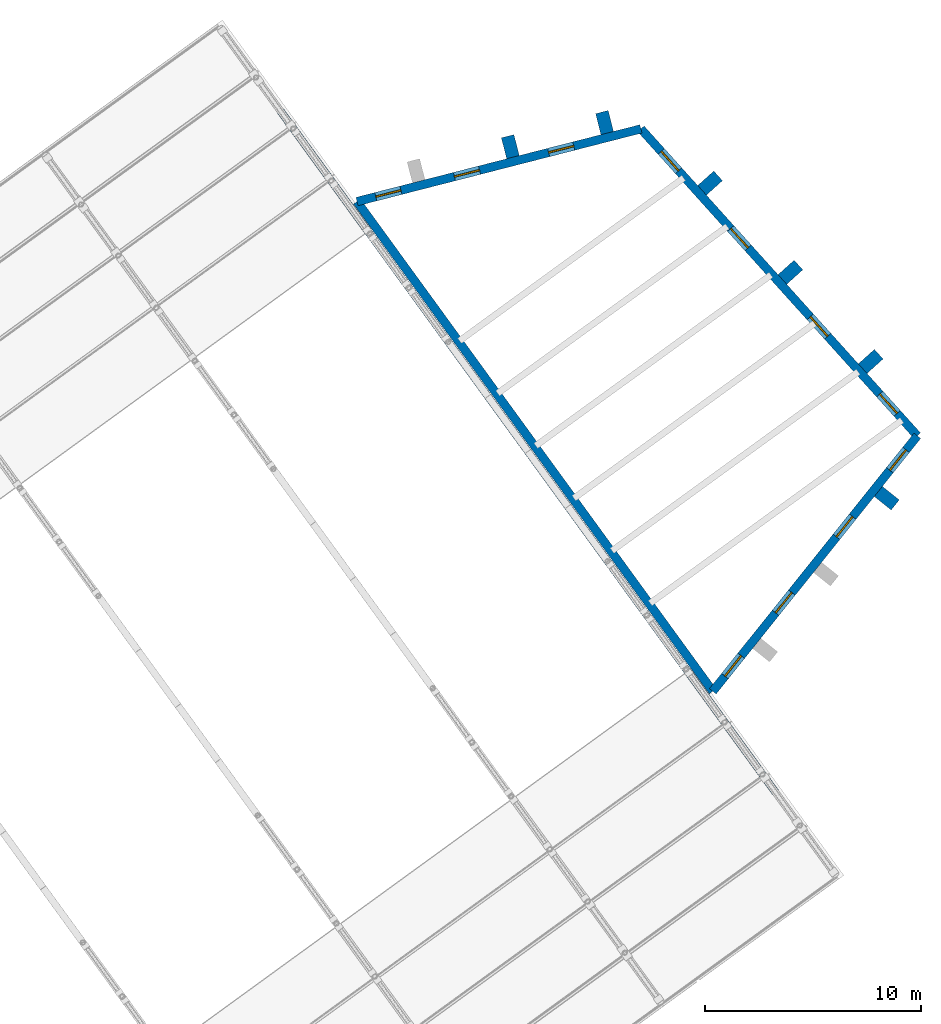
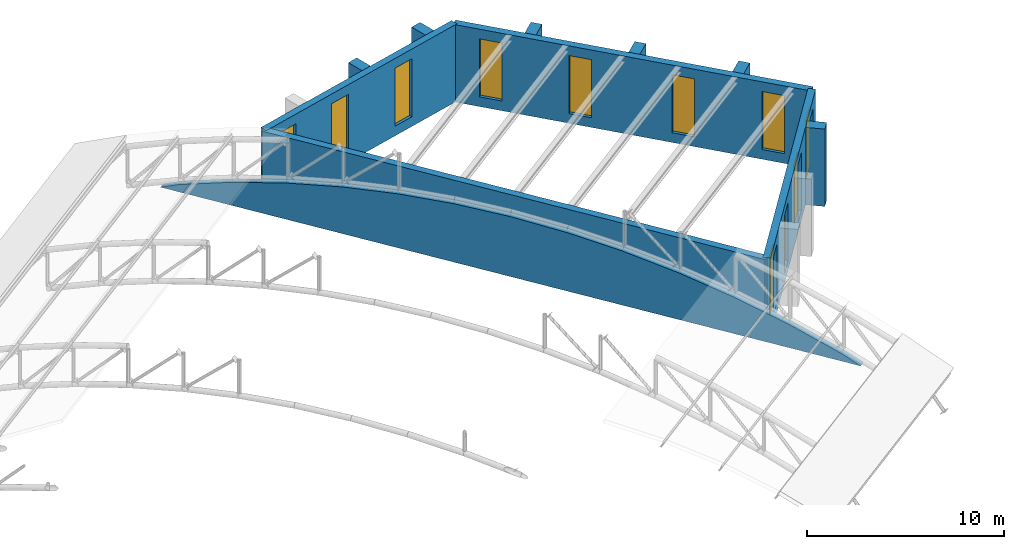
# One storey, part 51 of 69: 11 walls, 11 windows, 11 openings.
"""IFC4 building model written with IfcOpenShell, lengths in metres."""

from ifc_helpers import new_model, si_unit, direction, frame, frame_2d, origin, place, context, subcontext, project, spatial, polyline, rectangle, outline, extrude, material, layer, layer_set, type_object, element, fill, save


model = new_model("IFC4")

# Units and contexts
model_context = context("Model", 3, precision=1e-05, world=origin(), true_north=direction((0.0, 1.0)))
body_context = subcontext(model_context, "Body", "Model", "MODEL_VIEW")
ifc_project = project(units=[si_unit("LENGTHUNIT", "METRE"), si_unit("AREAUNIT", "SQUARE_METRE"), si_unit("VOLUMEUNIT", "CUBIC_METRE"), si_unit("PLANEANGLEUNIT", "RADIAN"), si_unit("MASSUNIT", "GRAM", prefix="KILO")], contexts=[model_context])

# Site, building, storey
site_placement = place(None, origin())
site = spatial("IfcSite", under=ifc_project, at=site_placement, CompositionType="ELEMENT")
building_placement = place(site_placement, origin())
building = spatial("IfcBuilding", under=site, at=building_placement, Name="Okhra Congress Centre", CompositionType="ELEMENT")
storey_placement = place(building_placement, frame((0.0, 0.0, 16.800048828125)))
storey = spatial("IfcBuildingStorey", under=building, at=storey_placement, Name="L03", CompositionType="ELEMENT", Elevation=16.800048828125)

# Walls
ifc_material_1 = material(Name="Concrete C30/37", Category="concrete")
ifc_layer_1 = layer(ifc_material_1, 0.35009765625)
ifc_layer_set_1 = layer_set([ifc_layer_1], Name="RC wall 350 REI 120 C30/37")
wall_type_1 = type_object("IfcWallType", Name="RC wall 350 REI 120 C30/37", PredefinedType="SOLIDWALL", material=ifc_layer_set_1)
wall_1_placement = place(storey_placement, frame((273.927978515625, 197.464599609375, 0.0), z_axis=(0.0, 0.0, 1.0), x_axis=(-0.587787365847, 0.809015458784, 0.0)))
element("IfcWall", 1, at=wall_1_placement, inside=storey, type_object=wall_type_1, Name="End wall E L03", PredefinedType="SOLIDWALL", context=body_context, shape_type="SweptSolid", body=[
    extrude(outline(polyline([(0.0, 0.0), (38.9482421875, 0.0), (37.943359375, 0.45068359375), (34.961669921875, 1.44189453125), (31.927490234375, 2.257568359375), (28.85107421875, 2.894775390625), (25.7431640625, 3.351318359375), (22.614013671875, 3.6259765625), (19.47412109375, 3.717529296875), (16.33447265625, 3.6259765625), (13.205078125, 3.351318359375), (10.09716796875, 2.894775390625), (7.02099609375, 2.257568359375), (3.98681640625, 1.44189453125), (1.005126953125, 0.45068359375), (0.0, 0.0)])), frame((0.0, 0.175048828125, 0.0), z_axis=(0.0, -1.0, 0.0), x_axis=(1.0, 0.0, 0.0)), (0.0, 0.0, 1.0), 0.35009765625),
])
ifc_layer_2 = layer(ifc_material_1, 0.39990234375)
ifc_layer_set_2 = layer_set([ifc_layer_2], Name="RC wall 400 REI 120 C30/37")
wall_type_2 = type_object("IfcWallType", Name="RC wall 400 REI 120 C30/37", PredefinedType="SOLIDWALL", material=ifc_layer_set_2)
wall_2_placement = place(storey_placement, frame((271.033935546875, 202.12841796875, 0.0), z_axis=(0.0, 0.0, 1.0), x_axis=(-0.587787980643, 0.809015012105, 0.0)))
element("IfcWall", 2, at=wall_2_placement, inside=storey, type_object=wall_type_2, Name="Stage house wall W L03", PredefinedType="SOLIDWALL", context=body_context, shape_type="SweptSolid", body=[
    extrude(rectangle(XDim=28.0, YDim=0.39990234375, at=frame_2d((14.0, 0.0))), origin(), (0.0, 0.0, 1.0), 4.800048828125),
])

# Wall, openings, windows
wall_3_placement = place(storey_placement, frame((280.494384765625, 213.946044921875, 0.0), z_axis=(0.0, 0.0, 1.0), x_axis=(-0.66924426707, 0.743042469173, 0.0)))
wall_3 = element("IfcWall", 3, at=wall_3_placement, inside=storey, type_object=wall_type_2, Name="Stage house wall E L03", PredefinedType="SOLIDWALL", context=body_context, shape_type="SweptSolid", body=[
    extrude(rectangle(XDim=19.10498046875, YDim=0.39990234375, at=frame_2d((9.552490234375, 0.0))), origin(), (0.0, 0.0, 1.0), 4.800048828125),
])
opening_1_placement = place(wall_3_placement, frame((1.39990234375, 0.0, 0.60009765625)))
opening_1 = element("IfcOpeningElement", 4, at=opening_1_placement, cuts=wall_3, Name="Opening WN38", PredefinedType="OPENING", context=body_context, shape_type="SweptSolid", body=[
    extrude(rectangle(XDim=1.199951171875, YDim=3.60009765625, at=frame_2d((0.60009765625, 1.800048828125))), frame((0.0, 0.2099609375, 0.0), z_axis=(0.0, -1.0, 0.0), x_axis=(1.0, 0.0, 0.0)), (0.0, 0.0, 1.0), 0.419921875),
])
opening_2_placement = place(wall_3_placement, frame((6.199951171875, 0.0, 0.60009765625)))
opening_2 = element("IfcOpeningElement", 5, at=opening_2_placement, cuts=wall_3, Name="Opening WN38", PredefinedType="OPENING", context=body_context, shape_type="SweptSolid", body=[
    extrude(rectangle(XDim=1.199951171875, YDim=3.60009765625, at=frame_2d((0.60009765625, 1.800048828125))), frame((0.0, 0.2099609375, 0.0), z_axis=(0.0, -1.0, 0.0), x_axis=(1.0, 0.0, 0.0)), (0.0, 0.0, 1.0), 0.419921875),
])
opening_3_placement = place(wall_3_placement, frame((11.699951171875, 0.0, 0.60009765625)))
opening_3 = element("IfcOpeningElement", 6, at=opening_3_placement, cuts=wall_3, Name="Opening WN38", PredefinedType="OPENING", context=body_context, shape_type="SweptSolid", body=[
    extrude(rectangle(XDim=1.199951171875, YDim=3.60009765625, at=frame_2d((0.60009765625, 1.800048828125))), frame((0.0, 0.2099609375, 0.0), z_axis=(0.0, -1.0, 0.0), x_axis=(1.0, 0.0, 0.0)), (0.0, 0.0, 1.0), 0.419921875),
])
opening_4_placement = place(wall_3_placement, frame((16.5, 0.0, 0.60009765625)))
opening_4 = element("IfcOpeningElement", 7, at=opening_4_placement, cuts=wall_3, Name="Opening WN38", PredefinedType="OPENING", context=body_context, shape_type="SweptSolid", body=[
    extrude(rectangle(XDim=1.199951171875, YDim=3.60009765625, at=frame_2d((0.60009765625, 1.800048828125))), frame((0.0, 0.2099609375, 0.0), z_axis=(0.0, -1.0, 0.0), x_axis=(1.0, 0.0, 0.0)), (0.0, 0.0, 1.0), 0.419921875),
])
ifc_material_2 = material(Name="Thermally broken aluminium frame, triple glazing", Category="aluminium")
window_type = type_object("IfcWindowType", Name="Fixed window 1200x3600", PartitioningType="SINGLE_PANEL", PredefinedType="WINDOW", material=ifc_material_2)
window_1_placement = place(opening_1_placement, origin())
window_1 = element("IfcWindow", 8, at=window_1_placement, inside=storey, type_object=window_type, Name="Stage house slot window", OverallHeight=3.60009765625, OverallWidth=1.199951171875, PartitioningType="SINGLE_PANEL", PredefinedType="WINDOW", context=body_context, shape_type="SweptSolid", body=[
    extrude(rectangle(XDim=1.199951171875, YDim=3.60009765625, at=frame_2d((0.60009765625, 1.800048828125))), frame((0.0, 0.030029296875, 0.0), z_axis=(0.0, -1.0, 0.0), x_axis=(1.0, 0.0, 0.0)), (0.0, 0.0, 1.0), 0.06005859375),
])
fill(opening_1, window_1)
window_2_placement = place(opening_2_placement, origin())
window_2 = element("IfcWindow", 9, at=window_2_placement, inside=storey, type_object=window_type, Name="Stage house slot window", OverallHeight=3.60009765625, OverallWidth=1.199951171875, PartitioningType="SINGLE_PANEL", PredefinedType="WINDOW", context=body_context, shape_type="SweptSolid", body=[
    extrude(rectangle(XDim=1.199951171875, YDim=3.60009765625, at=frame_2d((0.60009765625, 1.800048828125))), frame((0.0, 0.030029296875, 0.0), z_axis=(0.0, -1.0, 0.0), x_axis=(1.0, 0.0, 0.0)), (0.0, 0.0, 1.0), 0.06005859375),
])
fill(opening_2, window_2)
window_3_placement = place(opening_3_placement, origin())
window_3 = element("IfcWindow", 10, at=window_3_placement, inside=storey, type_object=window_type, Name="Stage house slot window", OverallHeight=3.60009765625, OverallWidth=1.199951171875, PartitioningType="SINGLE_PANEL", PredefinedType="WINDOW", context=body_context, shape_type="SweptSolid", body=[
    extrude(rectangle(XDim=1.199951171875, YDim=3.60009765625, at=frame_2d((0.60009765625, 1.800048828125))), frame((0.0, 0.030029296875, 0.0), z_axis=(0.0, -1.0, 0.0), x_axis=(1.0, 0.0, 0.0)), (0.0, 0.0, 1.0), 0.06005859375),
])
fill(opening_3, window_3)
window_4_placement = place(opening_4_placement, origin())
window_4 = element("IfcWindow", 11, at=window_4_placement, inside=storey, type_object=window_type, Name="Stage house slot window", OverallHeight=3.60009765625, OverallWidth=1.199951171875, PartitioningType="SINGLE_PANEL", PredefinedType="WINDOW", context=body_context, shape_type="SweptSolid", body=[
    extrude(rectangle(XDim=1.199951171875, YDim=3.60009765625, at=frame_2d((0.60009765625, 1.800048828125))), frame((0.0, 0.030029296875, 0.0), z_axis=(0.0, -1.0, 0.0), x_axis=(1.0, 0.0, 0.0)), (0.0, 0.0, 1.0), 0.06005859375),
])
fill(opening_4, window_4)

wall_4_placement = place(storey_placement, frame((271.033935546875, 202.12841796875, 0.0), z_axis=(0.0, 0.0, 1.0), x_axis=(0.624950698066, 0.780664220384, 0.0)))
wall_4 = element("IfcWall", 12, at=wall_4_placement, inside=storey, type_object=wall_type_2, Name="Stage house wall S L03", PredefinedType="SOLIDWALL", context=body_context, shape_type="SweptSolid", body=[
    extrude(rectangle(XDim=15.137939453125, YDim=0.39990234375, at=frame_2d((7.56884765625, 0.0))), origin(), (0.0, 0.0, 1.0), 4.800048828125),
])
opening_5_placement = place(wall_4_placement, frame((0.89990234375, 0.0, 0.60009765625)))
opening_5 = element("IfcOpeningElement", 13, at=opening_5_placement, cuts=wall_4, Name="Opening WN38", PredefinedType="OPENING", context=body_context, shape_type="SweptSolid", body=[
    extrude(rectangle(XDim=1.199951171875, YDim=3.60009765625, at=frame_2d((0.60009765625, 1.800048828125))), frame((0.0, 0.2099609375, 0.0), z_axis=(0.0, -1.0, 0.0), x_axis=(1.0, 0.0, 0.0)), (0.0, 0.0, 1.0), 0.419921875),
])
opening_6_placement = place(wall_4_placement, frame((4.64990234375, 0.0, 0.60009765625)))
opening_6 = element("IfcOpeningElement", 14, at=opening_6_placement, cuts=wall_4, Name="Opening WN38", PredefinedType="OPENING", context=body_context, shape_type="SweptSolid", body=[
    extrude(rectangle(XDim=1.199951171875, YDim=3.60009765625, at=frame_2d((0.60009765625, 1.800048828125))), frame((0.0, 0.2099609375, 0.0), z_axis=(0.0, -1.0, 0.0), x_axis=(1.0, 0.0, 0.0)), (0.0, 0.0, 1.0), 0.419921875),
])
opening_7_placement = place(wall_4_placement, frame((9.14990234375, 0.0, 0.60009765625)))
opening_7 = element("IfcOpeningElement", 15, at=opening_7_placement, cuts=wall_4, Name="Opening WN38", PredefinedType="OPENING", context=body_context, shape_type="SweptSolid", body=[
    extrude(rectangle(XDim=1.199951171875, YDim=3.60009765625, at=frame_2d((0.60009765625, 1.800048828125))), frame((0.0, 0.2099609375, 0.0), z_axis=(0.0, -1.0, 0.0), x_axis=(1.0, 0.0, 0.0)), (0.0, 0.0, 1.0), 0.419921875),
])
opening_8_placement = place(wall_4_placement, frame((13.10009765625, 0.0, 0.60009765625)))
opening_8 = element("IfcOpeningElement", 16, at=opening_8_placement, cuts=wall_4, Name="Opening WN38", PredefinedType="OPENING", context=body_context, shape_type="SweptSolid", body=[
    extrude(rectangle(XDim=1.199951171875, YDim=3.60009765625, at=frame_2d((0.60009765625, 1.800048828125))), frame((0.0, 0.2099609375, 0.0), z_axis=(0.0, -1.0, 0.0), x_axis=(1.0, 0.0, 0.0)), (0.0, 0.0, 1.0), 0.419921875),
])
window_5_placement = place(opening_5_placement, origin())
window_5 = element("IfcWindow", 17, at=window_5_placement, inside=storey, type_object=window_type, Name="Stage house slot window", OverallHeight=3.60009765625, OverallWidth=1.199951171875, PartitioningType="SINGLE_PANEL", PredefinedType="WINDOW", context=body_context, shape_type="SweptSolid", body=[
    extrude(rectangle(XDim=1.199951171875, YDim=3.60009765625, at=frame_2d((0.60009765625, 1.800048828125))), frame((0.0, 0.030029296875, 0.0), z_axis=(0.0, -1.0, 0.0), x_axis=(1.0, 0.0, 0.0)), (0.0, 0.0, 1.0), 0.06005859375),
])
fill(opening_5, window_5)
window_6_placement = place(opening_6_placement, origin())
window_6 = element("IfcWindow", 18, at=window_6_placement, inside=storey, type_object=window_type, Name="Stage house slot window", OverallHeight=3.60009765625, OverallWidth=1.199951171875, PartitioningType="SINGLE_PANEL", PredefinedType="WINDOW", context=body_context, shape_type="SweptSolid", body=[
    extrude(rectangle(XDim=1.199951171875, YDim=3.60009765625, at=frame_2d((0.60009765625, 1.800048828125))), frame((0.0, 0.030029296875, 0.0), z_axis=(0.0, -1.0, 0.0), x_axis=(1.0, 0.0, 0.0)), (0.0, 0.0, 1.0), 0.06005859375),
])
fill(opening_6, window_6)
window_7_placement = place(opening_7_placement, origin())
window_7 = element("IfcWindow", 19, at=window_7_placement, inside=storey, type_object=window_type, Name="Stage house slot window", OverallHeight=3.60009765625, OverallWidth=1.199951171875, PartitioningType="SINGLE_PANEL", PredefinedType="WINDOW", context=body_context, shape_type="SweptSolid", body=[
    extrude(rectangle(XDim=1.199951171875, YDim=3.60009765625, at=frame_2d((0.60009765625, 1.800048828125))), frame((0.0, 0.030029296875, 0.0), z_axis=(0.0, -1.0, 0.0), x_axis=(1.0, 0.0, 0.0)), (0.0, 0.0, 1.0), 0.06005859375),
])
fill(opening_7, window_7)
window_8_placement = place(opening_8_placement, origin())
window_8 = element("IfcWindow", 20, at=window_8_placement, inside=storey, type_object=window_type, Name="Stage house slot window", OverallHeight=3.60009765625, OverallWidth=1.199951171875, PartitioningType="SINGLE_PANEL", PredefinedType="WINDOW", context=body_context, shape_type="SweptSolid", body=[
    extrude(rectangle(XDim=1.199951171875, YDim=3.60009765625, at=frame_2d((0.60009765625, 1.800048828125))), frame((0.0, 0.030029296875, 0.0), z_axis=(0.0, -1.0, 0.0), x_axis=(1.0, 0.0, 0.0)), (0.0, 0.0, 1.0), 0.06005859375),
])
fill(opening_8, window_8)

wall_5_placement = place(storey_placement, frame((254.575927734375, 224.78076171875, 0.0), z_axis=(0.0, 0.0, 1.0), x_axis=(0.968774540498, 0.247943319496, 0.0)))
wall_5 = element("IfcWall", 21, at=wall_5_placement, inside=storey, type_object=wall_type_2, Name="Stage house wall N L03", PredefinedType="SOLIDWALL", context=body_context, shape_type="SweptSolid", body=[
    extrude(rectangle(XDim=13.555908203125, YDim=0.39990234375, at=frame_2d((6.77783203125, 0.0))), origin(), (0.0, 0.0, 1.0), 4.800048828125),
])
opening_9_placement = place(wall_5_placement, frame((0.89990234375, 0.0, 0.60009765625)))
opening_9 = element("IfcOpeningElement", 22, at=opening_9_placement, cuts=wall_5, Name="Opening WN38", PredefinedType="OPENING", context=body_context, shape_type="SweptSolid", body=[
    extrude(rectangle(XDim=1.199951171875, YDim=3.60009765625, at=frame_2d((0.60009765625, 1.800048828125))), frame((0.0, 0.2099609375, 0.0), z_axis=(0.0, -1.0, 0.0), x_axis=(1.0, 0.0, 0.0)), (0.0, 0.0, 1.0), 0.419921875),
])
opening_10_placement = place(wall_5_placement, frame((4.64990234375, 0.0, 0.60009765625)))
opening_10 = element("IfcOpeningElement", 23, at=opening_10_placement, cuts=wall_5, Name="Opening WN38", PredefinedType="OPENING", context=body_context, shape_type="SweptSolid", body=[
    extrude(rectangle(XDim=1.199951171875, YDim=3.60009765625, at=frame_2d((0.60009765625, 1.800048828125))), frame((0.0, 0.2099609375, 0.0), z_axis=(0.0, -1.0, 0.0), x_axis=(1.0, 0.0, 0.0)), (0.0, 0.0, 1.0), 0.419921875),
])
opening_11_placement = place(wall_5_placement, frame((9.14990234375, 0.0, 0.60009765625)))
opening_11 = element("IfcOpeningElement", 24, at=opening_11_placement, cuts=wall_5, Name="Opening WN38", PredefinedType="OPENING", context=body_context, shape_type="SweptSolid", body=[
    extrude(rectangle(XDim=1.199951171875, YDim=3.60009765625, at=frame_2d((0.60009765625, 1.800048828125))), frame((0.0, 0.2099609375, 0.0), z_axis=(0.0, -1.0, 0.0), x_axis=(1.0, 0.0, 0.0)), (0.0, 0.0, 1.0), 0.419921875),
])
window_9_placement = place(opening_9_placement, origin())
window_9 = element("IfcWindow", 25, at=window_9_placement, inside=storey, type_object=window_type, Name="Stage house slot window", OverallHeight=3.60009765625, OverallWidth=1.199951171875, PartitioningType="SINGLE_PANEL", PredefinedType="WINDOW", context=body_context, shape_type="SweptSolid", body=[
    extrude(rectangle(XDim=1.199951171875, YDim=3.60009765625, at=frame_2d((0.60009765625, 1.800048828125))), frame((0.0, 0.030029296875, 0.0), z_axis=(0.0, -1.0, 0.0), x_axis=(1.0, 0.0, 0.0)), (0.0, 0.0, 1.0), 0.06005859375),
])
fill(opening_9, window_9)
window_10_placement = place(opening_10_placement, origin())
window_10 = element("IfcWindow", 26, at=window_10_placement, inside=storey, type_object=window_type, Name="Stage house slot window", OverallHeight=3.60009765625, OverallWidth=1.199951171875, PartitioningType="SINGLE_PANEL", PredefinedType="WINDOW", context=body_context, shape_type="SweptSolid", body=[
    extrude(rectangle(XDim=1.199951171875, YDim=3.60009765625, at=frame_2d((0.60009765625, 1.800048828125))), frame((0.0, 0.030029296875, 0.0), z_axis=(0.0, -1.0, 0.0), x_axis=(1.0, 0.0, 0.0)), (0.0, 0.0, 1.0), 0.06005859375),
])
fill(opening_10, window_10)
window_11_placement = place(opening_11_placement, origin())
window_11 = element("IfcWindow", 27, at=window_11_placement, inside=storey, type_object=window_type, Name="Stage house slot window", OverallHeight=3.60009765625, OverallWidth=1.199951171875, PartitioningType="SINGLE_PANEL", PredefinedType="WINDOW", context=body_context, shape_type="SweptSolid", body=[
    extrude(rectangle(XDim=1.199951171875, YDim=3.60009765625, at=frame_2d((0.60009765625, 1.800048828125))), frame((0.0, 0.030029296875, 0.0), z_axis=(0.0, -1.0, 0.0), x_axis=(1.0, 0.0, 0.0)), (0.0, 0.0, 1.0), 0.06005859375),
])
fill(opening_11, window_11)

# Walls
ifc_material_3 = material(Name="Concrete C35/45", Category="concrete")
ifc_layer_3 = layer(ifc_material_3, 0.60009765625)
ifc_layer_set_3 = layer_set([ifc_layer_3], Name="Stage house fin 600 R 120 C35/45")
wall_type_3 = type_object("IfcWallType", Name="Stage house fin 600 R 120 C35/45", PredefinedType="SOLIDWALL", material=ifc_layer_set_3)
for number, where, z_axis, x_axis, name in (
    (28, (277.966064453125, 217.052001953125, 0.0), (0.0, 0.0, 1.0), (0.742893420828, 0.669409714069, 0.0), "Stage house fin E1 L03"),
    (29, (274.251708984375, 221.176025390625, 0.0), (0.0, 0.0, 1.0), (0.743124177136, 0.669153537953, 0.0), "Stage house fin E2 L03"),
    (30, (270.537353515625, 225.2998046875, 0.0), (0.0, 0.0, 1.0), (0.743124177136, 0.669153537953, 0.0), "Stage house fin E3 L03"),
    (31, (278.689453125, 211.371337890625, 0.0), (0.0, 0.0, 1.0), (0.780678244716, -0.62493317901, 0.0), "Stage house fin S3 L03"),
):
    element("IfcWall", number, at=place(storey_placement, frame(where, z_axis=z_axis, x_axis=x_axis)), inside=storey, type_object=wall_type_3, Name=name, PredefinedType="SOLIDWALL", context=body_context, shape_type="SweptSolid", body=[
        extrude(rectangle(XDim=1.0, YDim=0.60009765625, at=frame_2d((0.5, 0.0))), origin(), (0.0, 0.0, 1.0), 4.800048828125),
    ])
for number, where, z_axis, x_axis, name in (
    (32, (261.792236328125, 226.833984375, 0.0), (0.0, 0.0, 1.0), (-0.247987749771, 0.96876316815, 0.0), "Stage house fin N2 L03"),
    (33, (266.151611328125, 227.94970703125, 0.0), (0.0, 0.0, 1.0), (-0.247758657109, 0.968821783316, 0.0), "Stage house fin N3 L03"),
):
    element("IfcWall", number, at=place(storey_placement, frame(where, z_axis=z_axis, x_axis=x_axis)), inside=storey, type_object=wall_type_3, Name=name, PredefinedType="SOLIDWALL", context=body_context, shape_type="SweptSolid", body=[
        extrude(rectangle(XDim=1.000244140625, YDim=0.60009765625, at=frame_2d((0.5, 0.0))), origin(), (0.0, 0.0, 1.0), 4.800048828125),
    ])

save(model, "model.ifc")
